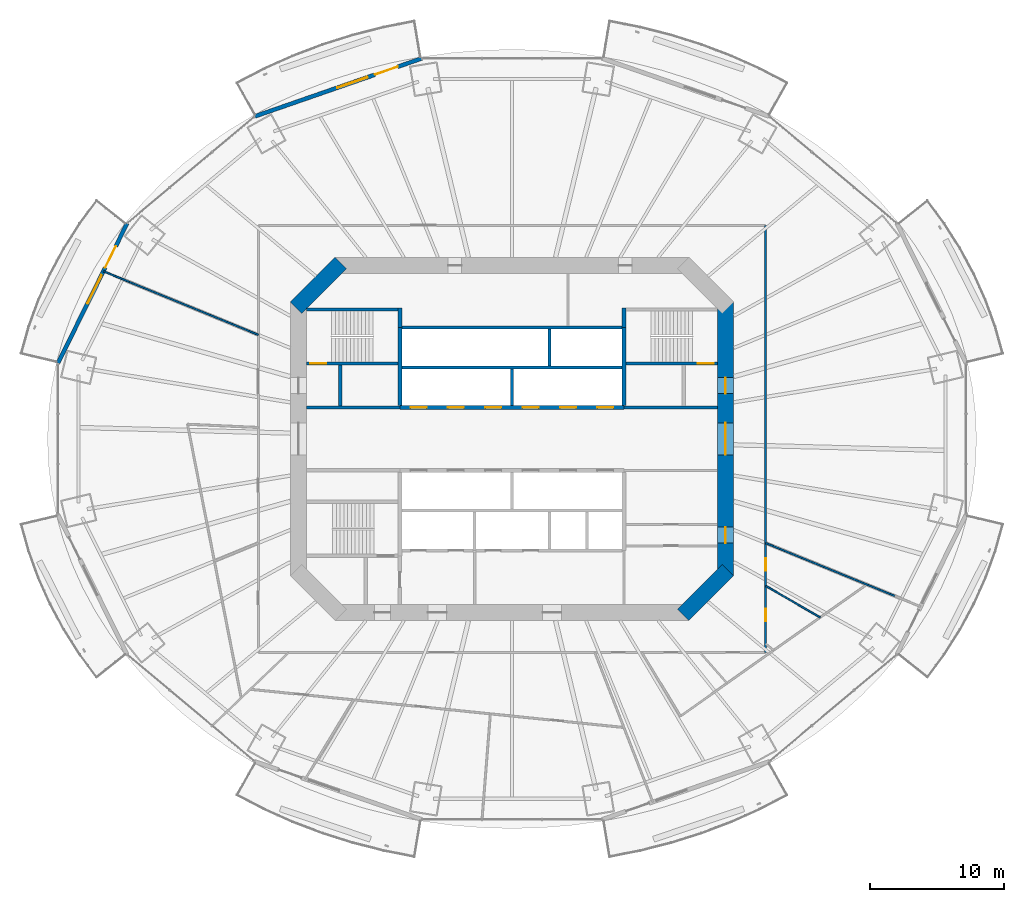
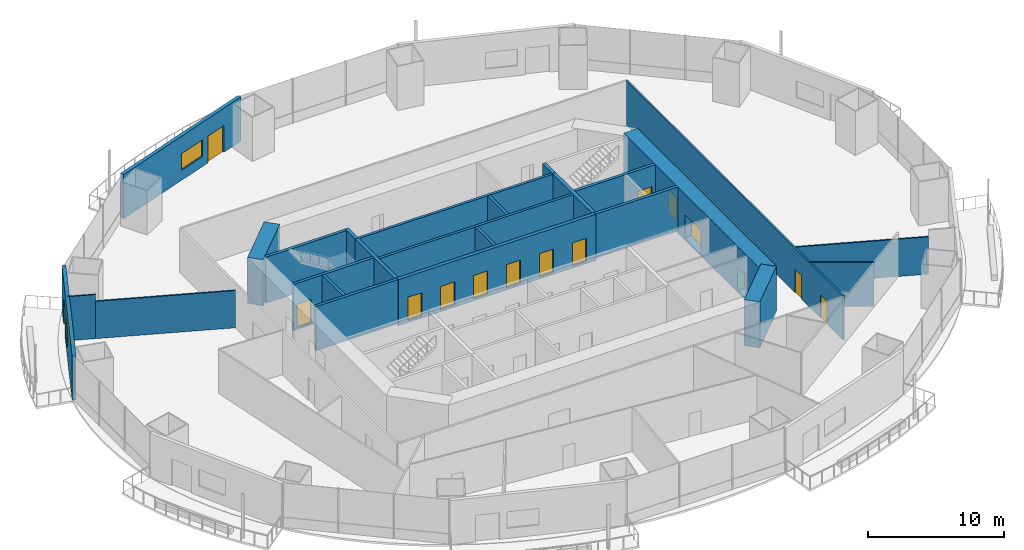
# One storey, part 15 of 22: 25 walls, 15 doors, 2 windows, 17 openings.
"""IFC4 building model written with IfcOpenShell, lengths in metres."""

from ifc_helpers import new_model, si_unit, direction, frame, frame_2d, origin, place, context, subcontext, project, spatial, rectangle, extrude, material, layer, layer_set, type_object, element, fill, save


model = new_model("IFC4")

# Units and contexts
model_context = context("Model", 3, precision=1e-05, world=origin(), true_north=direction((0.0, 1.0)))
body_context = subcontext(model_context, "Body", "Model", "MODEL_VIEW")
ifc_project = project(units=[si_unit("LENGTHUNIT", "METRE"), si_unit("AREAUNIT", "SQUARE_METRE"), si_unit("VOLUMEUNIT", "CUBIC_METRE"), si_unit("PLANEANGLEUNIT", "RADIAN"), si_unit("MASSUNIT", "GRAM", prefix="KILO")], contexts=[model_context])

# Site, building, storey
site_placement = place(None, origin())
site = spatial("IfcSite", under=ifc_project, at=site_placement, CompositionType="ELEMENT")
building_placement = place(site_placement, origin())
building = spatial("IfcBuilding", under=site, at=building_placement, Name="Marenthal Gate Tower", CompositionType="ELEMENT")
storey_placement = place(building_placement, frame((0.0, 0.0, 103.550048828125)))
storey = spatial("IfcBuildingStorey", under=building, at=storey_placement, Name="L21", CompositionType="ELEMENT", Elevation=103.550048828125)

# Wall
ifc_material_1 = material(Name="Concrete 60 MPa", Category="concrete")
ifc_layer_1 = layer(ifc_material_1, 1.199951171875)
ifc_layer_set_1 = layer_set([ifc_layer_1], Name="Core shear wall 1200")
wall_type_1 = type_object("IfcWallType", Name="Core shear wall 1200", PredefinedType="SHEAR", material=ifc_layer_set_1)
wall_1_placement = place(storey_placement, frame((12.82421875, -13.17578125, -0.179931640625), z_axis=(0.0, 0.0, 1.0), x_axis=(0.707106781187, 0.707106781187, 0.0)))
element("IfcWall", 1, at=wall_1_placement, inside=storey, type_object=wall_type_1, Name="Core wall 01", PredefinedType="SHEAR", context=body_context, shape_type="SweptSolid", body=[
    extrude(rectangle(XDim=4.73974609375, YDim=1.199951171875, at=frame_2d((2.369873046875, 0.0))), origin(), (0.0, 0.0, 1.0), 4.14990234375),
])

# Wall, openings, doors
wall_2_placement = place(storey_placement, frame((16.0, -10.24853515625, -0.179931640625), z_axis=(0.0, 0.0, 1.0), x_axis=(0.0, 1.0, 0.0)))
wall_2 = element("IfcWall", 2, at=wall_2_placement, inside=storey, type_object=wall_type_1, Name="Core wall 02", PredefinedType="SHEAR", context=body_context, shape_type="SweptSolid", body=[
    extrude(rectangle(XDim=20.4970703125, YDim=1.199951171875, at=frame_2d((10.24853515625, 0.0))), origin(), (0.0, 0.0, 1.0), 4.14990234375),
])
opening_1_placement = place(wall_2_placement, frame((9.048583984375, 0.0, 0.179931640625)))
opening_1 = element("IfcOpeningElement", 3, at=opening_1_placement, cuts=wall_2, Name="Opening D003.02", PredefinedType="OPENING", context=body_context, shape_type="SweptSolid", body=[
    extrude(rectangle(XDim=2.39990234375, YDim=2.10009765625, at=frame_2d((1.199951171875, 1.050048828125))), frame((0.0, 0.60986328125, 0.0), z_axis=(0.0, -1.0, 0.0), x_axis=(1.0, 0.0, 0.0)), (0.0, 0.0, 1.0), 1.219970703125),
])
opening_2_placement = place(wall_2_placement, frame((13.6484375, 0.0, 0.179931640625)))
opening_2 = element("IfcOpeningElement", 4, at=opening_2_placement, cuts=wall_2, Name="Opening D001.05", PredefinedType="OPENING", context=body_context, shape_type="SweptSolid", body=[
    extrude(rectangle(XDim=1.199951171875, YDim=2.10009765625, at=frame_2d((0.60009765625, 1.050048828125))), frame((0.0, 0.60986328125, 0.0), z_axis=(0.0, -1.0, 0.0), x_axis=(1.0, 0.0, 0.0)), (0.0, 0.0, 1.0), 1.219970703125),
])
opening_3_placement = place(wall_2_placement, frame((2.448486328125, 0.0, 0.179931640625)))
opening_3 = element("IfcOpeningElement", 5, at=opening_3_placement, cuts=wall_2, Name="Opening D006.01", PredefinedType="OPENING", context=body_context, shape_type="SweptSolid", body=[
    extrude(rectangle(XDim=1.199951171875, YDim=2.10009765625, at=frame_2d((0.60009765625, 1.050048828125))), frame((0.0, 0.60986328125, 0.0), z_axis=(0.0, -1.0, 0.0), x_axis=(1.0, 0.0, 0.0)), (0.0, 0.0, 1.0), 1.219970703125),
])
ifc_material_2 = material(Name="Steel fire door", Category="steel")
door_type_1 = type_object("IfcDoorType", Name="Double fire door FD 45 2400 x 2100", OperationType="DOUBLE_DOOR_SINGLE_SWING", PredefinedType="DOOR", material=ifc_material_2)
door_1_placement = place(opening_1_placement, origin())
door_1 = element("IfcDoor", 6, at=door_1_placement, inside=storey, type_object=door_type_1, Name="Door D003.02", OperationType="DOUBLE_DOOR_SINGLE_SWING", OverallHeight=2.10009765625, OverallWidth=2.39990234375, PredefinedType="DOOR", context=body_context, shape_type="SweptSolid", body=[
    extrude(rectangle(XDim=2.39990234375, YDim=2.10009765625, at=frame_2d((1.199951171875, 1.050048828125))), frame((0.0, 0.02490234375, 0.0), z_axis=(0.0, -1.0, 0.0), x_axis=(1.0, 0.0, 0.0)), (0.0, 0.0, 1.0), 0.050048828125),
])
fill(opening_1, door_1)
ifc_material_3 = material(Name="Steel fire door", Category="steel")
door_type_2 = type_object("IfcDoorType", Name="Fire door FD 45 1200 x 2100", OperationType="NOTDEFINED", PredefinedType="DOOR", material=ifc_material_3)
door_2_placement = place(opening_3_placement, origin())
door_2 = element("IfcDoor", 7, at=door_2_placement, inside=storey, type_object=door_type_2, Name="Door D006.01", OperationType="SINGLE_SWING_RIGHT", OverallHeight=2.10009765625, OverallWidth=1.199951171875, PredefinedType="DOOR", context=body_context, shape_type="SweptSolid", body=[
    extrude(rectangle(XDim=1.199951171875, YDim=2.10009765625, at=frame_2d((0.60009765625, 1.050048828125))), frame((0.0, 0.02490234375, 0.0), z_axis=(0.0, -1.0, 0.0), x_axis=(1.0, 0.0, 0.0)), (0.0, 0.0, 1.0), 0.050048828125),
])
fill(opening_3, door_2)
ifc_material_4 = material(Name="Steel fire door", Category="steel")
door_type_3 = type_object("IfcDoorType", Name="Fire door FD 90 1200 x 2100", OperationType="NOTDEFINED", PredefinedType="DOOR", material=ifc_material_4)
door_3_placement = place(opening_2_placement, origin())
door_3 = element("IfcDoor", 8, at=door_3_placement, inside=storey, type_object=door_type_3, Name="Door D001.05", OperationType="SINGLE_SWING_RIGHT", OverallHeight=2.10009765625, OverallWidth=1.199951171875, PredefinedType="DOOR", context=body_context, shape_type="SweptSolid", body=[
    extrude(rectangle(XDim=1.199951171875, YDim=2.10009765625, at=frame_2d((0.60009765625, 1.050048828125))), frame((0.0, 0.02490234375, 0.0), z_axis=(0.0, -1.0, 0.0), x_axis=(1.0, 0.0, 0.0)), (0.0, 0.0, 1.0), 0.050048828125),
])
fill(opening_2, door_3)

# Wall
wall_3_placement = place(storey_placement, frame((-12.82421875, 13.17578125, -0.179931640625), z_axis=(0.0, 0.0, 1.0), x_axis=(-0.707106781187, -0.707106781187, 0.0)))
element("IfcWall", 9, at=wall_3_placement, inside=storey, type_object=wall_type_1, Name="Core wall 05", PredefinedType="SHEAR", context=body_context, shape_type="SweptSolid", body=[
    extrude(rectangle(XDim=4.73974609375, YDim=1.199951171875, at=frame_2d((2.369873046875, 0.0))), origin(), (0.0, 0.0, 1.0), 4.14990234375),
])

# Wall, openings, doors
ifc_material_5 = material(Name="Concrete 50 MPa", Category="concrete")
ifc_layer_2 = layer(ifc_material_5, 0.300048828125)
ifc_layer_set_2 = layer_set([ifc_layer_2], Name="Hoistway shear wall 300")
wall_type_2 = type_object("IfcWallType", Name="Hoistway shear wall 300", PredefinedType="SHEAR", material=ifc_layer_set_2)
wall_4_placement = place(storey_placement, frame((-8.39990234375, 2.35009765625, -0.179931640625), z_axis=(0.0, 0.0, 1.0), x_axis=(1.0, 0.0, 0.0)))
wall_4 = element("IfcWall", 10, at=wall_4_placement, inside=storey, type_object=wall_type_2, Name="Hoistway wall 20", PredefinedType="SHEAR", context=body_context, shape_type="SweptSolid", body=[
    extrude(rectangle(XDim=16.7998046875, YDim=0.300048828125, at=frame_2d((8.39990234375, 0.0))), origin(), (0.0, 0.0, 1.0), 4.14990234375),
])
opening_4_placement = place(wall_4_placement, frame((0.800048828125, 0.0, 0.179931640625)))
opening_4 = element("IfcOpeningElement", 11, at=opening_4_placement, cuts=wall_4, Name="Opening LD-LP1", PredefinedType="OPENING", context=body_context, shape_type="SweptSolid", body=[
    extrude(rectangle(XDim=1.199951171875, YDim=2.10009765625, at=frame_2d((0.60009765625, 1.050048828125))), frame((0.0, 0.16015625, 0.0), z_axis=(0.0, -1.0, 0.0), x_axis=(1.0, 0.0, 0.0)), (0.0, 0.0, 1.0), 0.320068359375),
])
opening_5_placement = place(wall_4_placement, frame((3.60009765625, 0.0, 0.179931640625)))
opening_5 = element("IfcOpeningElement", 12, at=opening_5_placement, cuts=wall_4, Name="Opening LD-LP2", PredefinedType="OPENING", context=body_context, shape_type="SweptSolid", body=[
    extrude(rectangle(XDim=1.199951171875, YDim=2.10009765625, at=frame_2d((0.60009765625, 1.050048828125))), frame((0.0, 0.16015625, 0.0), z_axis=(0.0, -1.0, 0.0), x_axis=(1.0, 0.0, 0.0)), (0.0, 0.0, 1.0), 0.320068359375),
])
opening_6_placement = place(wall_4_placement, frame((6.39990234375, 0.0, 0.179931640625)))
opening_6 = element("IfcOpeningElement", 13, at=opening_6_placement, cuts=wall_4, Name="Opening LD-LP3", PredefinedType="OPENING", context=body_context, shape_type="SweptSolid", body=[
    extrude(rectangle(XDim=1.199951171875, YDim=2.10009765625, at=frame_2d((0.60009765625, 1.050048828125))), frame((0.0, 0.16015625, 0.0), z_axis=(0.0, -1.0, 0.0), x_axis=(1.0, 0.0, 0.0)), (0.0, 0.0, 1.0), 0.320068359375),
])
opening_7_placement = place(wall_4_placement, frame((9.199951171875, 0.0, 0.179931640625)))
opening_7 = element("IfcOpeningElement", 14, at=opening_7_placement, cuts=wall_4, Name="Opening LD-LP4", PredefinedType="OPENING", context=body_context, shape_type="SweptSolid", body=[
    extrude(rectangle(XDim=1.199951171875, YDim=2.10009765625, at=frame_2d((0.60009765625, 1.050048828125))), frame((0.0, 0.16015625, 0.0), z_axis=(0.0, -1.0, 0.0), x_axis=(1.0, 0.0, 0.0)), (0.0, 0.0, 1.0), 0.320068359375),
])
opening_8_placement = place(wall_4_placement, frame((12.0, 0.0, 0.179931640625)))
opening_8 = element("IfcOpeningElement", 15, at=opening_8_placement, cuts=wall_4, Name="Opening LD-LP5", PredefinedType="OPENING", context=body_context, shape_type="SweptSolid", body=[
    extrude(rectangle(XDim=1.199951171875, YDim=2.10009765625, at=frame_2d((0.60009765625, 1.050048828125))), frame((0.0, 0.16015625, 0.0), z_axis=(0.0, -1.0, 0.0), x_axis=(1.0, 0.0, 0.0)), (0.0, 0.0, 1.0), 0.320068359375),
])
opening_9_placement = place(wall_4_placement, frame((14.800048828125, 0.0, 0.179931640625)))
opening_9 = element("IfcOpeningElement", 16, at=opening_9_placement, cuts=wall_4, Name="Opening LD-LP6", PredefinedType="OPENING", context=body_context, shape_type="SweptSolid", body=[
    extrude(rectangle(XDim=1.199951171875, YDim=2.10009765625, at=frame_2d((0.60009765625, 1.050048828125))), frame((0.0, 0.16015625, 0.0), z_axis=(0.0, -1.0, 0.0), x_axis=(1.0, 0.0, 0.0)), (0.0, 0.0, 1.0), 0.320068359375),
])
ifc_material_6 = material(Name="Stainless steel sliding door", Category="steel")
door_type_4 = type_object("IfcDoorType", Name="Lift landing door FD 90 1200 x 2100", OperationType="DOUBLE_DOOR_SLIDING", PredefinedType="DOOR", material=ifc_material_6)
door_4_placement = place(opening_4_placement, origin())
door_4 = element("IfcDoor", 17, at=door_4_placement, inside=storey, type_object=door_type_4, Name="Lift landing door LP1", OperationType="DOUBLE_DOOR_SLIDING", OverallHeight=2.10009765625, OverallWidth=1.199951171875, PredefinedType="DOOR", context=body_context, shape_type="SweptSolid", body=[
    extrude(rectangle(XDim=1.199951171875, YDim=2.10009765625, at=frame_2d((0.60009765625, 1.050048828125))), frame((0.0, 0.02490234375, 0.0), z_axis=(0.0, -1.0, 0.0), x_axis=(1.0, 0.0, 0.0)), (0.0, 0.0, 1.0), 0.050048828125),
])
fill(opening_4, door_4)
door_5_placement = place(opening_5_placement, origin())
door_5 = element("IfcDoor", 18, at=door_5_placement, inside=storey, type_object=door_type_4, Name="Lift landing door LP2", OperationType="DOUBLE_DOOR_SLIDING", OverallHeight=2.10009765625, OverallWidth=1.199951171875, PredefinedType="DOOR", context=body_context, shape_type="SweptSolid", body=[
    extrude(rectangle(XDim=1.199951171875, YDim=2.10009765625, at=frame_2d((0.60009765625, 1.050048828125))), frame((0.0, 0.02490234375, 0.0), z_axis=(0.0, -1.0, 0.0), x_axis=(1.0, 0.0, 0.0)), (0.0, 0.0, 1.0), 0.050048828125),
])
fill(opening_5, door_5)
door_6_placement = place(opening_6_placement, origin())
door_6 = element("IfcDoor", 19, at=door_6_placement, inside=storey, type_object=door_type_4, Name="Lift landing door LP3", OperationType="DOUBLE_DOOR_SLIDING", OverallHeight=2.10009765625, OverallWidth=1.199951171875, PredefinedType="DOOR", context=body_context, shape_type="SweptSolid", body=[
    extrude(rectangle(XDim=1.199951171875, YDim=2.10009765625, at=frame_2d((0.60009765625, 1.050048828125))), frame((0.0, 0.02490234375, 0.0), z_axis=(0.0, -1.0, 0.0), x_axis=(1.0, 0.0, 0.0)), (0.0, 0.0, 1.0), 0.050048828125),
])
fill(opening_6, door_6)
door_7_placement = place(opening_7_placement, origin())
door_7 = element("IfcDoor", 20, at=door_7_placement, inside=storey, type_object=door_type_4, Name="Lift landing door LP4", OperationType="DOUBLE_DOOR_SLIDING", OverallHeight=2.10009765625, OverallWidth=1.199951171875, PredefinedType="DOOR", context=body_context, shape_type="SweptSolid", body=[
    extrude(rectangle(XDim=1.199951171875, YDim=2.10009765625, at=frame_2d((0.60009765625, 1.050048828125))), frame((0.0, 0.02490234375, 0.0), z_axis=(0.0, -1.0, 0.0), x_axis=(1.0, 0.0, 0.0)), (0.0, 0.0, 1.0), 0.050048828125),
])
fill(opening_7, door_7)
door_8_placement = place(opening_8_placement, origin())
door_8 = element("IfcDoor", 21, at=door_8_placement, inside=storey, type_object=door_type_4, Name="Lift landing door LP5", OperationType="DOUBLE_DOOR_SLIDING", OverallHeight=2.10009765625, OverallWidth=1.199951171875, PredefinedType="DOOR", context=body_context, shape_type="SweptSolid", body=[
    extrude(rectangle(XDim=1.199951171875, YDim=2.10009765625, at=frame_2d((0.60009765625, 1.050048828125))), frame((0.0, 0.02490234375, 0.0), z_axis=(0.0, -1.0, 0.0), x_axis=(1.0, 0.0, 0.0)), (0.0, 0.0, 1.0), 0.050048828125),
])
fill(opening_8, door_8)
door_9_placement = place(opening_9_placement, origin())
door_9 = element("IfcDoor", 22, at=door_9_placement, inside=storey, type_object=door_type_4, Name="Lift landing door LP6", OperationType="DOUBLE_DOOR_SLIDING", OverallHeight=2.10009765625, OverallWidth=1.199951171875, PredefinedType="DOOR", context=body_context, shape_type="SweptSolid", body=[
    extrude(rectangle(XDim=1.199951171875, YDim=2.10009765625, at=frame_2d((0.60009765625, 1.050048828125))), frame((0.0, 0.02490234375, 0.0), z_axis=(0.0, -1.0, 0.0), x_axis=(1.0, 0.0, 0.0)), (0.0, 0.0, 1.0), 0.050048828125),
])
fill(opening_9, door_9)

# Walls
for number, where, z_axis, x_axis, name in (
    (23, (-8.39990234375, 2.5, -0.179931640625), (0.0, 0.0, 1.0), (0.0, 1.0, 0.0), "Hoistway wall 32"),
    (24, (8.39990234375, 2.5, -0.179931640625), (0.0, 0.0, 1.0), (0.0, 1.0, 0.0), "Hoistway wall 44"),
):
    element("IfcWall", number, at=place(storey_placement, frame(where, z_axis=z_axis, x_axis=x_axis)), inside=storey, type_object=wall_type_2, Name=name, PredefinedType="SHEAR", context=body_context, shape_type="SweptSolid", body=[
        extrude(rectangle(XDim=5.85009765625, YDim=0.300048828125, at=frame_2d((2.925048828125, 0.0))), origin(), (0.0, 0.0, 1.0), 4.14990234375),
    ])
ifc_material_7 = material(Name="Concrete 40 MPa", Category="concrete")
ifc_layer_3 = layer(ifc_material_7, 0.219970703125)
ifc_layer_set_3 = layer_set([ifc_layer_3], Name="Hoistway wall 220")
wall_type_3 = type_object("IfcWallType", Name="Hoistway wall 220", PredefinedType="STANDARD", material=ifc_layer_set_3)
for number, where, z_axis, x_axis, name in (
    (25, (-8.25, 5.35009765625, 0.0), (0.0, 0.0, 1.0), (1.0, 0.0, 0.0), "Hoistway wall 22"),
    (26, (-8.25, 8.35009765625, 0.0), (0.0, 0.0, 1.0), (1.0, 0.0, 0.0), "Hoistway wall 25"),
):
    element("IfcWall", number, at=place(storey_placement, frame(where, z_axis=z_axis, x_axis=x_axis)), inside=storey, type_object=wall_type_3, Name=name, PredefinedType="STANDARD", context=body_context, shape_type="SweptSolid", body=[
        extrude(rectangle(XDim=16.5, YDim=0.219970703125, at=frame_2d((8.25, 0.0))), origin(), (0.0, 0.0, 1.0), 3.969970703125),
    ])
wall_5_placement = place(storey_placement, frame((0.0, 2.5, 0.0), z_axis=(0.0, 0.0, 1.0), x_axis=(0.0, 1.0, 0.0)))
element("IfcWall", 27, at=wall_5_placement, inside=storey, type_object=wall_type_3, Name="Hoistway wall 37", PredefinedType="STANDARD", context=body_context, shape_type="SweptSolid", body=[
    extrude(rectangle(XDim=2.739990234375, YDim=0.219970703125, at=frame_2d((1.3701171875, 0.0))), origin(), (0.0, 0.0, 1.0), 3.969970703125),
])
wall_6_placement = place(storey_placement, frame((2.800048828125, 5.4599609375, 0.0), z_axis=(0.0, 0.0, 1.0), x_axis=(0.0, 1.0, 0.0)))
element("IfcWall", 28, at=wall_6_placement, inside=storey, type_object=wall_type_3, Name="Hoistway wall 39", PredefinedType="STANDARD", context=body_context, shape_type="SweptSolid", body=[
    extrude(rectangle(XDim=2.780029296875, YDim=0.219970703125, at=frame_2d((1.39013671875, 0.0))), origin(), (0.0, 0.0, 1.0), 3.969970703125),
])
ifc_material_8 = material(Name="Gypsum board on steel studs", Category="steel")
ifc_layer_4 = layer(ifc_material_8, 0.1201171875)
ifc_layer_set_4 = layer_set([ifc_layer_4], Name="Partition 120")
wall_type_4 = type_object("IfcWallType", Name="Partition 120", PredefinedType="PARTITIONING", material=ifc_layer_set_4)
wall_7_placement = place(storey_placement, frame((-19.0, 7.796142578125, 0.0), z_axis=(0.0, 0.0, 1.0), x_axis=(-0.925142748841, 0.379619407127, 0.0)))
element("IfcWall", 29, at=wall_7_placement, inside=storey, type_object=wall_type_4, Name="Partition wall 52", PredefinedType="PARTITIONING", context=body_context, shape_type="SweptSolid", body=[
    extrude(rectangle(XDim=10.45263671875, YDim=0.1201171875, at=frame_2d((5.226318359375, 0.0))), origin(), (0.0, 0.0, 1.0), 3.35791015625),
])
wall_8_placement = place(storey_placement, frame((-28.670166015625, 11.76416015625, 0.0), z_axis=(0.0, 0.0, 1.0), x_axis=(-0.925143297368, 0.379618070349, 0.0)))
element("IfcWall", 30, at=wall_8_placement, inside=storey, type_object=wall_type_4, Name="Partition wall 66", PredefinedType="PARTITIONING", context=body_context, shape_type="SweptSolid", body=[
    extrude(rectangle(XDim=2.083740234375, YDim=0.1201171875, at=frame_2d((1.0419921875, 0.0))), origin(), (0.0, 0.0, 1.0), 3.969970703125),
])
wall_9_placement = place(storey_placement, frame((19.0, -7.796142578125, 0.0), z_axis=(0.0, 0.0, 1.0), x_axis=(0.925142748841, -0.379619407127, 0.0)))
element("IfcWall", 31, at=wall_9_placement, inside=storey, type_object=wall_type_4, Name="Partition wall 62", PredefinedType="PARTITIONING", context=body_context, shape_type="SweptSolid", body=[
    extrude(rectangle(XDim=10.45263671875, YDim=0.1201171875, at=frame_2d((5.226318359375, 0.0))), origin(), (0.0, 0.0, 1.0), 3.35791015625),
])
wall_10_placement = place(storey_placement, frame((23.078857421875, -13.365478515625, 0.0), z_axis=(0.0, 0.0, 1.0), x_axis=(-0.865369539842, 0.501134272938, 0.0)))
element("IfcWall", 32, at=wall_10_placement, inside=storey, type_object=wall_type_4, Name="Partition wall 65", PredefinedType="PARTITIONING", context=body_context, shape_type="SweptSolid", body=[
    extrude(rectangle(XDim=4.71337890625, YDim=0.1201171875, at=frame_2d((2.356689453125, 0.0))), origin(), (0.0, 0.0, 1.0), 3.969970703125),
])

# Wall, openings, doors
ifc_material_9 = material(Name="Gypsum board on steel studs", Category="steel")
ifc_layer_5 = layer(ifc_material_9, 0.14990234375)
ifc_layer_set_5 = layer_set([ifc_layer_5], Name="Partition 150")
wall_type_5 = type_object("IfcWallType", Name="Partition 150", PredefinedType="PARTITIONING", material=ifc_layer_set_5)
wall_11_placement = place(storey_placement, frame((19.0, 16.0, 0.0), z_axis=(0.0, 0.0, 1.0), x_axis=(0.0, -1.0, 0.0)))
wall_11 = element("IfcWall", 33, at=wall_11_placement, inside=storey, type_object=wall_type_5, Name="Partition wall 63", PredefinedType="PARTITIONING", context=body_context, shape_type="SweptSolid", body=[
    extrude(rectangle(XDim=32.0, YDim=0.14990234375, at=frame_2d((16.0, 0.0))), origin(), (0.0, 0.0, 1.0), 3.969970703125),
])
opening_10_placement = place(wall_11_placement, frame((28.702880859375, 0.0, 0.0)))
opening_10 = element("IfcOpeningElement", 34, at=opening_10_placement, cuts=wall_11, Name="Opening D016.08", PredefinedType="OPENING", context=body_context, shape_type="SweptSolid", body=[
    extrude(rectangle(XDim=0.949951171875, YDim=2.10009765625, at=frame_2d((0.47509765625, 1.050048828125))), frame((0.0, 0.0849609375, 0.0), z_axis=(0.0, -1.0, 0.0), x_axis=(1.0, 0.0, 0.0)), (0.0, 0.0, 1.0), 0.169921875),
])
opening_11_placement = place(wall_11_placement, frame((24.924072265625, 0.0, 0.0)))
opening_11 = element("IfcOpeningElement", 35, at=opening_11_placement, cuts=wall_11, Name="Opening D016.09", PredefinedType="OPENING", context=body_context, shape_type="SweptSolid", body=[
    extrude(rectangle(XDim=0.949951171875, YDim=2.10009765625, at=frame_2d((0.47509765625, 1.050048828125))), frame((0.0, 0.0849609375, 0.0), z_axis=(0.0, -1.0, 0.0), x_axis=(1.0, 0.0, 0.0)), (0.0, 0.0, 1.0), 0.169921875),
])
ifc_material_10 = material(Name="Timber door", Category="wood")
door_type_5 = type_object("IfcDoorType", Name="Door 950 x 2100", OperationType="NOTDEFINED", PredefinedType="DOOR", material=ifc_material_10)
door_10_placement = place(opening_10_placement, origin())
door_10 = element("IfcDoor", 36, at=door_10_placement, inside=storey, type_object=door_type_5, Name="Door D016.08", OperationType="SINGLE_SWING_RIGHT", OverallHeight=2.10009765625, OverallWidth=0.949951171875, PredefinedType="DOOR", context=body_context, shape_type="SweptSolid", body=[
    extrude(rectangle(XDim=0.949951171875, YDim=2.10009765625, at=frame_2d((0.47509765625, 1.050048828125))), frame((0.0, 0.02490234375, 0.0), z_axis=(0.0, -1.0, 0.0), x_axis=(1.0, 0.0, 0.0)), (0.0, 0.0, 1.0), 0.050048828125),
])
fill(opening_10, door_10)
door_11_placement = place(opening_11_placement, origin())
door_11 = element("IfcDoor", 37, at=door_11_placement, inside=storey, type_object=door_type_5, Name="Door D016.09", OperationType="SINGLE_SWING_RIGHT", OverallHeight=2.10009765625, OverallWidth=0.949951171875, PredefinedType="DOOR", context=body_context, shape_type="SweptSolid", body=[
    extrude(rectangle(XDim=0.949951171875, YDim=2.10009765625, at=frame_2d((0.47509765625, 1.050048828125))), frame((0.0, 0.02490234375, 0.0), z_axis=(0.0, -1.0, 0.0), x_axis=(1.0, 0.0, 0.0)), (0.0, 0.0, 1.0), 0.050048828125),
])
fill(opening_11, door_11)

# Walls
ifc_material_11 = material(Name="Concrete 40 MPa", Category="concrete")
ifc_layer_6 = layer(ifc_material_11, 0.25)
ifc_layer_set_6 = layer_set([ifc_layer_6], Name="Stair enclosure wall 250")
wall_type_6 = type_object("IfcWallType", Name="Stair enclosure wall 250", PredefinedType="STANDARD", material=ifc_layer_set_6)
for number, where, z_axis, x_axis, name in (
    (38, (-15.39990234375, 2.35009765625, 0.0), (0.0, 0.0, 1.0), (1.0, 0.0, 0.0), "Stair wall 19"),
    (39, (8.39990234375, 2.35009765625, 0.0), (0.0, 0.0, 1.0), (1.0, 0.0, 0.0), "Stair wall 21"),
):
    element("IfcWall", number, at=place(storey_placement, frame(where, z_axis=z_axis, x_axis=x_axis)), inside=storey, type_object=wall_type_6, Name=name, PredefinedType="STANDARD", context=body_context, shape_type="SweptSolid", body=[
        extrude(rectangle(XDim=7.0, YDim=0.25, at=frame_2d((3.5, 0.0))), origin(), (0.0, 0.0, 1.0), 3.969970703125),
    ])
wall_12_placement = place(storey_placement, frame((-12.85009765625, 2.47509765625, 0.0), z_axis=(0.0, 0.0, 1.0), x_axis=(0.0, 1.0, 0.0)))
element("IfcWall", 40, at=wall_12_placement, inside=storey, type_object=wall_type_6, Name="Stair wall 28", PredefinedType="STANDARD", context=body_context, shape_type="SweptSolid", body=[
    extrude(rectangle(XDim=3.0498046875, YDim=0.25, at=frame_2d((1.52490234375, 0.0))), origin(), (0.0, 0.0, 1.0), 3.969970703125),
])

# Wall, opening, door
ifc_material_12 = material(Name="Concrete 50 MPa", Category="concrete")
ifc_layer_7 = layer(ifc_material_12, 0.25)
ifc_layer_set_7 = layer_set([ifc_layer_7], Name="Stair shear wall 250")
wall_type_7 = type_object("IfcWallType", Name="Stair shear wall 250", PredefinedType="SHEAR", material=ifc_layer_set_7)
wall_13_placement = place(storey_placement, frame((-15.39990234375, 5.64990234375, -0.179931640625), z_axis=(0.0, 0.0, 1.0), x_axis=(1.0, 0.0, 0.0)))
wall_13 = element("IfcWall", 41, at=wall_13_placement, inside=storey, type_object=wall_type_7, Name="Stair wall 23", PredefinedType="SHEAR", context=body_context, shape_type="SweptSolid", body=[
    extrude(rectangle(XDim=6.849853515625, YDim=0.25, at=frame_2d((3.4248046875, 0.0))), origin(), (0.0, 0.0, 1.0), 4.14990234375),
])
opening_12_placement = place(wall_13_placement, frame((0.300048828125, 0.0, 0.179931640625)))
opening_12 = element("IfcOpeningElement", 42, at=opening_12_placement, cuts=wall_13, Name="Opening D001.01", PredefinedType="OPENING", context=body_context, shape_type="SweptSolid", body=[
    extrude(rectangle(XDim=1.199951171875, YDim=2.10009765625, at=frame_2d((0.60009765625, 1.050048828125))), frame((0.0, 0.135009765625, 0.0), z_axis=(0.0, -1.0, 0.0), x_axis=(1.0, 0.0, 0.0)), (0.0, 0.0, 1.0), 0.27001953125),
])
door_12_placement = place(opening_12_placement, origin())
door_12 = element("IfcDoor", 43, at=door_12_placement, inside=storey, type_object=door_type_3, Name="Door D001.01", OperationType="SINGLE_SWING_RIGHT", OverallHeight=2.10009765625, OverallWidth=1.199951171875, PredefinedType="DOOR", context=body_context, shape_type="SweptSolid", body=[
    extrude(rectangle(XDim=1.199951171875, YDim=2.10009765625, at=frame_2d((0.60009765625, 1.050048828125))), frame((0.0, 0.02490234375, 0.0), z_axis=(0.0, -1.0, 0.0), x_axis=(1.0, 0.0, 0.0)), (0.0, 0.0, 1.0), 0.050048828125),
])
fill(opening_12, door_12)

wall_14_placement = place(storey_placement, frame((8.550048828125, 5.64990234375, -0.179931640625), z_axis=(0.0, 0.0, 1.0), x_axis=(1.0, 0.0, 0.0)))
wall_14 = element("IfcWall", 44, at=wall_14_placement, inside=storey, type_object=wall_type_7, Name="Stair wall 24", PredefinedType="SHEAR", context=body_context, shape_type="SweptSolid", body=[
    extrude(rectangle(XDim=6.849853515625, YDim=0.25, at=frame_2d((3.4248046875, 0.0))), origin(), (0.0, 0.0, 1.0), 4.14990234375),
])
opening_13_placement = place(wall_14_placement, frame((5.35009765625, 0.0, 0.179931640625)))
opening_13 = element("IfcOpeningElement", 45, at=opening_13_placement, cuts=wall_14, Name="Opening D001.02", PredefinedType="OPENING", context=body_context, shape_type="SweptSolid", body=[
    extrude(rectangle(XDim=1.199951171875, YDim=2.10009765625, at=frame_2d((0.60009765625, 1.050048828125))), frame((0.0, 0.135009765625, 0.0), z_axis=(0.0, -1.0, 0.0), x_axis=(1.0, 0.0, 0.0)), (0.0, 0.0, 1.0), 0.27001953125),
])
door_13_placement = place(opening_13_placement, origin())
door_13 = element("IfcDoor", 46, at=door_13_placement, inside=storey, type_object=door_type_3, Name="Door D001.02", OperationType="SINGLE_SWING_RIGHT", OverallHeight=2.10009765625, OverallWidth=1.199951171875, PredefinedType="DOOR", context=body_context, shape_type="SweptSolid", body=[
    extrude(rectangle(XDim=1.199951171875, YDim=2.10009765625, at=frame_2d((0.60009765625, 1.050048828125))), frame((0.0, 0.02490234375, 0.0), z_axis=(0.0, -1.0, 0.0), x_axis=(1.0, 0.0, 0.0)), (0.0, 0.0, 1.0), 0.050048828125),
])
fill(opening_13, door_13)

# Walls
wall_15_placement = place(storey_placement, frame((-15.39990234375, 9.699951171875, -0.179931640625), z_axis=(0.0, 0.0, 1.0), x_axis=(1.0, 0.0, 0.0)))
element("IfcWall", 47, at=wall_15_placement, inside=storey, type_object=wall_type_7, Name="Stair wall 26", PredefinedType="SHEAR", context=body_context, shape_type="SweptSolid", body=[
    extrude(rectangle(XDim=6.849853515625, YDim=0.25, at=frame_2d((3.4248046875, 0.0))), origin(), (0.0, 0.0, 1.0), 4.14990234375),
])
ifc_material_13 = material(Name="Concrete 50 MPa", Category="concrete")
ifc_layer_8 = layer(ifc_material_13, 0.300048828125)
ifc_layer_set_8 = layer_set([ifc_layer_8], Name="Stair shear wall 300")
wall_type_8 = type_object("IfcWallType", Name="Stair shear wall 300", PredefinedType="SHEAR", material=ifc_layer_set_8)
for number, where, z_axis, x_axis, name in (
    (48, (-8.39990234375, 8.35009765625, -0.179931640625), (0.0, 0.0, 1.0), (0.0, 1.0, 0.0), "Stair wall 33"),
    (49, (8.39990234375, 8.35009765625, -0.179931640625), (0.0, 0.0, 1.0), (0.0, 1.0, 0.0), "Stair wall 45"),
):
    element("IfcWall", number, at=place(storey_placement, frame(where, z_axis=z_axis, x_axis=x_axis)), inside=storey, type_object=wall_type_8, Name=name, PredefinedType="SHEAR", context=body_context, shape_type="SweptSolid", body=[
        extrude(rectangle(XDim=1.474853515625, YDim=0.300048828125, at=frame_2d((0.7373046875, 0.0))), origin(), (0.0, 0.0, 1.0), 4.14990234375),
    ])

# Wall, openings, door, window
ifc_material_14 = material(Name="Terracotta cladding on insulated concrete-block backing", Category="masonry")
ifc_layer_9 = layer(ifc_material_14, 0.300048828125)
ifc_layer_set_9 = layer_set([ifc_layer_9], Name="Terracotta facade wall 300")
wall_type_9 = type_object("IfcWallType", Name="Terracotta facade wall 300", PredefinedType="SOLIDWALL", material=ifc_layer_set_9)
wall_16_placement = place(storey_placement, frame((-6.763427734375, 28.494873046875, 0.0), z_axis=(0.0, 0.0, 1.0), x_axis=(-0.944700030718, -0.327935743647, 0.0)))
wall_16 = element("IfcWall", 50, at=wall_16_placement, inside=storey, type_object=wall_type_9, Name="Terracotta facade wall L21 bay 5", PredefinedType="SOLIDWALL", context=body_context, shape_type="SweptSolid", body=[
    extrude(rectangle(XDim=13.228515625, YDim=0.300048828125, at=frame_2d((6.6142578125, 0.0))), origin(), (0.0, 0.0, 1.0), 3.969970703125),
])
opening_14_placement = place(wall_16_placement, frame((1.89990234375, 0.0, 0.0)))
opening_14 = element("IfcOpeningElement", 51, at=opening_14_placement, cuts=wall_16, Name="Opening BD-L21-05", PredefinedType="OPENING", context=body_context, shape_type="SweptSolid", body=[
    extrude(rectangle(XDim=1.800048828125, YDim=2.39990234375, at=frame_2d((0.89990234375, 1.199951171875))), frame((0.0, 0.16015625, 0.0), z_axis=(0.0, -1.0, 0.0), x_axis=(1.0, 0.0, 0.0)), (0.0, 0.0, 1.0), 0.320068359375),
])
opening_15_placement = place(wall_16_placement, frame((4.300048828125, 0.0, 0.89990234375)))
opening_15 = element("IfcOpeningElement", 52, at=opening_15_placement, cuts=wall_16, Name="Opening WN1-L21-05", PredefinedType="OPENING", context=body_context, shape_type="SweptSolid", body=[
    extrude(rectangle(XDim=2.39990234375, YDim=1.5, at=frame_2d((1.199951171875, 0.75))), frame((0.0, 0.16015625, 0.0), z_axis=(0.0, -1.0, 0.0), x_axis=(1.0, 0.0, 0.0)), (0.0, 0.0, 1.0), 0.320068359375),
])
ifc_material_15 = material(Name="Aluminium and glass", Category="aluminium")
door_type_6 = type_object("IfcDoorType", Name="Balcony door 1800x2400", OperationType="DOUBLE_DOOR_SINGLE_SWING", PredefinedType="DOOR", material=ifc_material_15)
door_14_placement = place(opening_14_placement, origin())
door_14 = element("IfcDoor", 53, at=door_14_placement, inside=storey, type_object=door_type_6, Name="Balcony door L21 bay 5", OperationType="SINGLE_SWING_LEFT", OverallHeight=2.39990234375, OverallWidth=1.800048828125, PredefinedType="DOOR", context=body_context, shape_type="SweptSolid", body=[
    extrude(rectangle(XDim=1.800048828125, YDim=2.39990234375, at=frame_2d((0.89990234375, 1.199951171875))), frame((0.0, 0.02490234375, 0.0), z_axis=(0.0, -1.0, 0.0), x_axis=(1.0, 0.0, 0.0)), (0.0, 0.0, 1.0), 0.050048828125),
])
fill(opening_14, door_14)
ifc_material_16 = material(Name="Aluminium and glass", Category="aluminium")
window_type = type_object("IfcWindowType", Name="Window 2400x1500", PartitioningType="TRIPLE_PANEL_VERTICAL", PredefinedType="WINDOW", material=ifc_material_16)
window_1_placement = place(opening_15_placement, origin())
window_1 = element("IfcWindow", 54, at=window_1_placement, inside=storey, type_object=window_type, Name="Window L21 bay 5", OverallHeight=1.5, OverallWidth=2.39990234375, PartitioningType="SINGLE_PANEL", PredefinedType="WINDOW", context=body_context, shape_type="SweptSolid", body=[
    extrude(rectangle(XDim=2.39990234375, YDim=1.5, at=frame_2d((1.199951171875, 0.75))), frame((0.0, 0.030029296875, 0.0), z_axis=(0.0, -1.0, 0.0), x_axis=(1.0, 0.0, 0.0)), (0.0, 0.0, 1.0), 0.06005859375),
])
fill(opening_15, window_1)

wall_17_placement = place(storey_placement, frame((-28.825439453125, 16.14111328125, 0.0), z_axis=(0.0, 0.0, 1.0), x_axis=(-0.4430961796, -0.896474079728, 0.0)))
wall_17 = element("IfcWall", 55, at=wall_17_placement, inside=storey, type_object=wall_type_9, Name="Terracotta facade wall L21 bay 7", PredefinedType="SOLIDWALL", context=body_context, shape_type="SweptSolid", body=[
    extrude(rectangle(XDim=11.6826171875, YDim=0.300048828125, at=frame_2d((5.84130859375, 0.0))), origin(), (0.0, 0.0, 1.0), 3.969970703125),
])
opening_16_placement = place(wall_17_placement, frame((1.89990234375, 0.0, 0.0)))
opening_16 = element("IfcOpeningElement", 56, at=opening_16_placement, cuts=wall_17, Name="Opening BD-L21-07", PredefinedType="OPENING", context=body_context, shape_type="SweptSolid", body=[
    extrude(rectangle(XDim=1.800048828125, YDim=2.39990234375, at=frame_2d((0.89990234375, 1.199951171875))), frame((0.0, 0.16015625, 0.0), z_axis=(0.0, -1.0, 0.0), x_axis=(1.0, 0.0, 0.0)), (0.0, 0.0, 1.0), 0.320068359375),
])
opening_17_placement = place(wall_17_placement, frame((4.300048828125, 0.0, 0.89990234375)))
opening_17 = element("IfcOpeningElement", 57, at=opening_17_placement, cuts=wall_17, Name="Opening WN1-L21-07", PredefinedType="OPENING", context=body_context, shape_type="SweptSolid", body=[
    extrude(rectangle(XDim=2.39990234375, YDim=1.5, at=frame_2d((1.199951171875, 0.75))), frame((0.0, 0.16015625, 0.0), z_axis=(0.0, -1.0, 0.0), x_axis=(1.0, 0.0, 0.0)), (0.0, 0.0, 1.0), 0.320068359375),
])
door_15_placement = place(opening_16_placement, origin())
door_15 = element("IfcDoor", 58, at=door_15_placement, inside=storey, type_object=door_type_6, Name="Balcony door L21 bay 7", OperationType="SINGLE_SWING_LEFT", OverallHeight=2.39990234375, OverallWidth=1.800048828125, PredefinedType="DOOR", context=body_context, shape_type="SweptSolid", body=[
    extrude(rectangle(XDim=1.800048828125, YDim=2.39990234375, at=frame_2d((0.89990234375, 1.199951171875))), frame((0.0, 0.02490234375, 0.0), z_axis=(0.0, -1.0, 0.0), x_axis=(1.0, 0.0, 0.0)), (0.0, 0.0, 1.0), 0.050048828125),
])
fill(opening_16, door_15)
window_2_placement = place(opening_17_placement, origin())
window_2 = element("IfcWindow", 59, at=window_2_placement, inside=storey, type_object=window_type, Name="Window L21 bay 7", OverallHeight=1.5, OverallWidth=2.39990234375, PartitioningType="SINGLE_PANEL", PredefinedType="WINDOW", context=body_context, shape_type="SweptSolid", body=[
    extrude(rectangle(XDim=2.39990234375, YDim=1.5, at=frame_2d((1.199951171875, 0.75))), frame((0.0, 0.030029296875, 0.0), z_axis=(0.0, -1.0, 0.0), x_axis=(1.0, 0.0, 0.0)), (0.0, 0.0, 1.0), 0.06005859375),
])
fill(opening_17, window_2)

save(model, "model.ifc")
